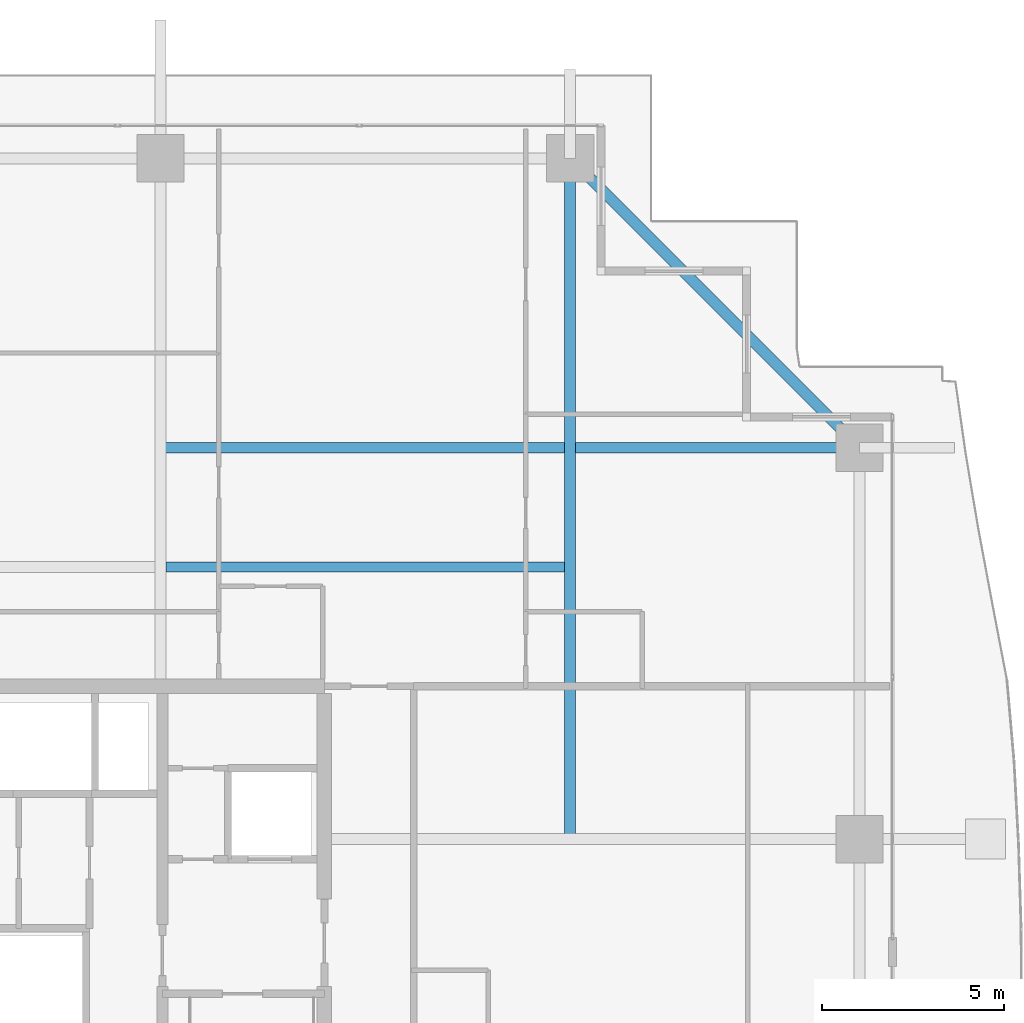
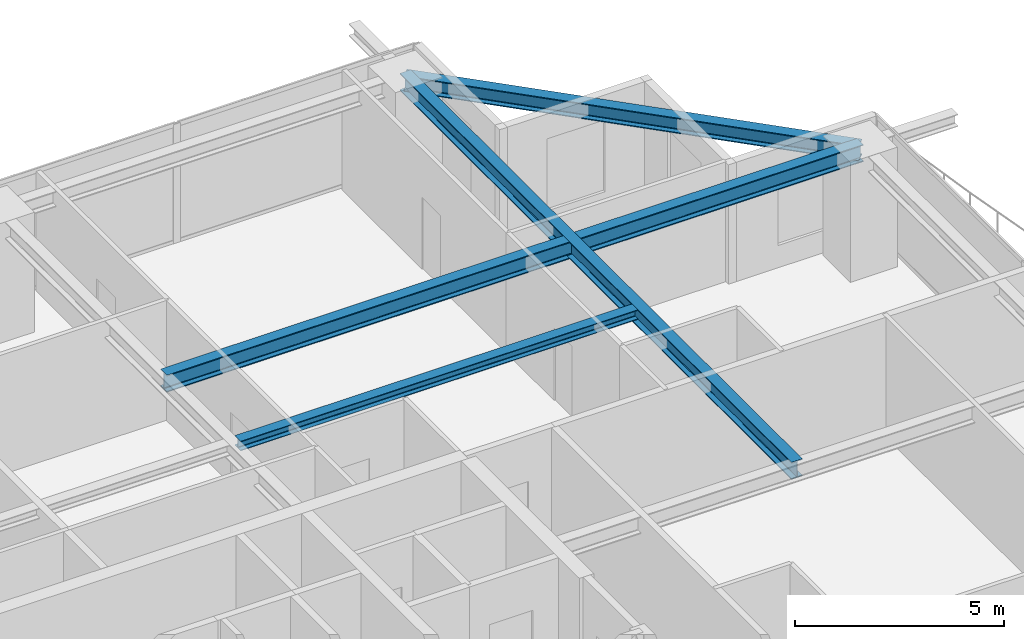
# One storey, part 23 of 37: 4 beams.
"""IFC4 building model written with IfcOpenShell, lengths in metres."""

from ifc_helpers import new_model, si_unit, direction, frame, origin, origin_2d, place, context, subcontext, project, spatial, i_section, extrude, source, transform, mapped, material, material_profile, profile_set, type_object, element, save


model = new_model("IFC4")

# Units and contexts
model_context = context("Model", 3, precision=1e-05, world=origin(), true_north=direction((0.0, 1.0)))
body_context = subcontext(model_context, "Body", "Model", "MODEL_VIEW")
ifc_project = project(units=[si_unit("LENGTHUNIT", "METRE"), si_unit("AREAUNIT", "SQUARE_METRE"), si_unit("VOLUMEUNIT", "CUBIC_METRE"), si_unit("PLANEANGLEUNIT", "RADIAN"), si_unit("MASSUNIT", "GRAM", prefix="KILO")], contexts=[model_context])

# Site, building, storey
site_placement = place(None, origin())
site = spatial("IfcSite", under=ifc_project, at=site_placement, CompositionType="ELEMENT")
building_placement = place(site_placement, origin())
building = spatial("IfcBuilding", under=site, at=building_placement, Name="Serunith Strait Residences", CompositionType="ELEMENT")
storey_placement = place(building_placement, frame((0.0, 0.0, 161.39990234375)))
storey = spatial("IfcBuildingStorey", under=building, at=storey_placement, Name="L40", CompositionType="ELEMENT", Elevation=161.39990234375)

# Beams
ifc_material = material(Name="Steel S355J2", Category="steel")
ifc_material_profile_1 = material_profile(ifc_material, i_section(OverallWidth=0.300048828125, OverallDepth=0.5, WebThickness=0.014404296875, FlangeThickness=0.028076171875, FilletRadius=0.027099609375, at=origin_2d()), Name="HEB 500")
ifc_profile_set_1 = profile_set([ifc_material_profile_1], Name="Steel S355J2")
beam_type_1 = type_object("IfcBeamType", Name="BM-HEB500", PredefinedType="BEAM", material=ifc_profile_set_1)
shared_shape_1 = source(origin(), body_context, "Body", "SweptSolid", [
    extrude(i_section(OverallWidth=0.300048828125, OverallDepth=0.5, WebThickness=0.014404296875, FlangeThickness=0.028076171875, FilletRadius=0.027099609375, at=origin_2d()), origin(), (0.0, 0.0, 1.0), 18.7001953125),
])
beam_1_placement = place(storey_placement, frame((48.14990234375, 29.39990234375, 3.237060546875), z_axis=(0.0, 1.0, 0.0), x_axis=(-1.0, 0.0, 0.0)))
element("IfcBeam", 1, at=beam_1_placement, inside=storey, type_object=beam_type_1, Name="L40 Orthogonal Corner Girder TC-N4", PredefinedType="BEAM", context=body_context, shape_type="MappedRepresentation", body=[
    mapped(shared_shape_1, transform((0.0, 0.0, 0.0), scale=1.0)),
])
shared_shape_2 = source(origin(), body_context, "Body", "SweptSolid", [
    extrude(i_section(OverallWidth=0.300048828125, OverallDepth=0.5, WebThickness=0.014404296875, FlangeThickness=0.028076171875, FilletRadius=0.027099609375, at=origin_2d()), origin(), (0.0, 0.0, 1.0), 19.2001953125),
])
beam_2_placement = place(storey_placement, frame((36.89990234375, 40.14990234375, 3.237060546875), z_axis=(1.0, 0.0, 0.0), x_axis=(0.0, 1.0, 0.0)))
element("IfcBeam", 2, at=beam_2_placement, inside=storey, type_object=beam_type_1, Name="L40 Orthogonal Corner Girder TC-E4", PredefinedType="BEAM", context=body_context, shape_type="MappedRepresentation", body=[
    mapped(shared_shape_2, transform((0.0, 0.0, 0.0), scale=1.0)),
])
ifc_material_profile_2 = material_profile(ifc_material, i_section(OverallWidth=0.300048828125, OverallDepth=0.449951171875, WebThickness=0.013916015625, FlangeThickness=0.02587890625, FilletRadius=0.027099609375, at=origin_2d()), Name="HEB 450")
ifc_profile_set_2 = profile_set([ifc_material_profile_2], Name="Steel S355J2")
beam_type_2 = type_object("IfcBeamType", Name="BM-HEB450", PredefinedType="BEAM", material=ifc_profile_set_2)
shared_shape_3 = source(origin(), body_context, "Body", "SweptSolid", [
    extrude(i_section(OverallWidth=0.300048828125, OverallDepth=0.449951171875, WebThickness=0.013916015625, FlangeThickness=0.02587890625, FilletRadius=0.027099609375, at=origin_2d()), origin(), (0.0, 0.0, 1.0), 11.2431640625),
])
beam_3_placement = place(storey_placement, frame((56.10009765625, 40.14990234375, 3.232177734375), z_axis=(-0.707106781187, 0.707106781187, 0.0), x_axis=(-0.707106781187, -0.707106781187, 0.0)))
element("IfcBeam", 3, at=beam_3_placement, inside=storey, type_object=beam_type_2, Name="L40 Perimeter Ring Beam 08", PredefinedType="BEAM", context=body_context, shape_type="MappedRepresentation", body=[
    mapped(shared_shape_3, transform((0.0, 0.0, 0.0), scale=1.0)),
])
ifc_material_profile_3 = material_profile(ifc_material, i_section(OverallWidth=0.280029296875, OverallDepth=0.280029296875, WebThickness=0.010498046875, FlangeThickness=0.01806640625, FilletRadius=0.02392578125, at=origin_2d()), Name="HEB 280")
ifc_profile_set_3 = profile_set([ifc_material_profile_3], Name="Steel S355J2")
beam_type_3 = type_object("IfcBeamType", Name="BM-HEB280", PredefinedType="JOIST", material=ifc_profile_set_3)
shared_shape_4 = source(origin(), body_context, "Body", "SweptSolid", [
    extrude(i_section(OverallWidth=0.280029296875, OverallDepth=0.280029296875, WebThickness=0.010498046875, FlangeThickness=0.01806640625, FilletRadius=0.02392578125, at=origin_2d()), origin(), (0.0, 0.0, 1.0), 10.949951171875),
])
beam_4_placement = place(storey_placement, frame((37.050048828125, 36.875, 3.34716796875), z_axis=(1.0, 0.0, 0.0), x_axis=(0.0, 1.0, 0.0)))
element("IfcBeam", 4, at=beam_4_placement, inside=storey, type_object=beam_type_3, Name="L40 Composite Floor Joist 06", PredefinedType="JOIST", context=body_context, shape_type="MappedRepresentation", body=[
    mapped(shared_shape_4, transform((0.0, 0.0, 0.0), scale=1.0)),
])

save(model, "model.ifc")
